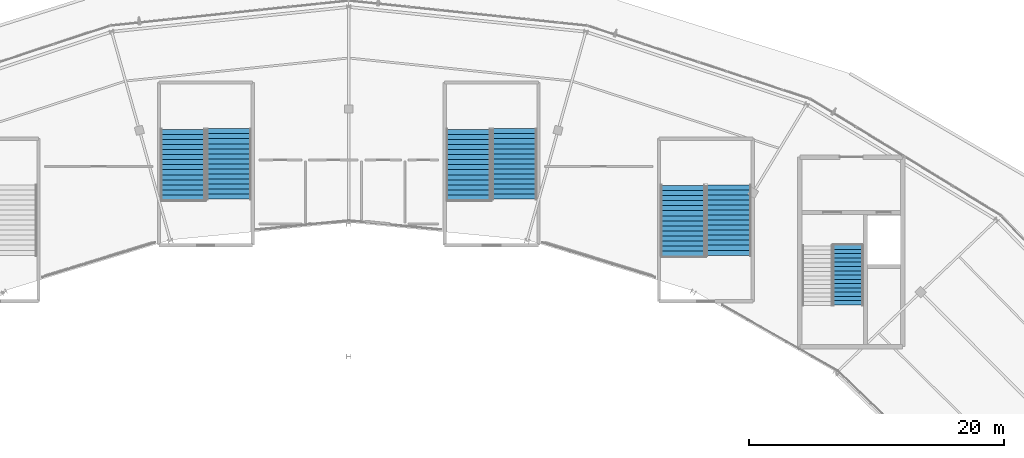
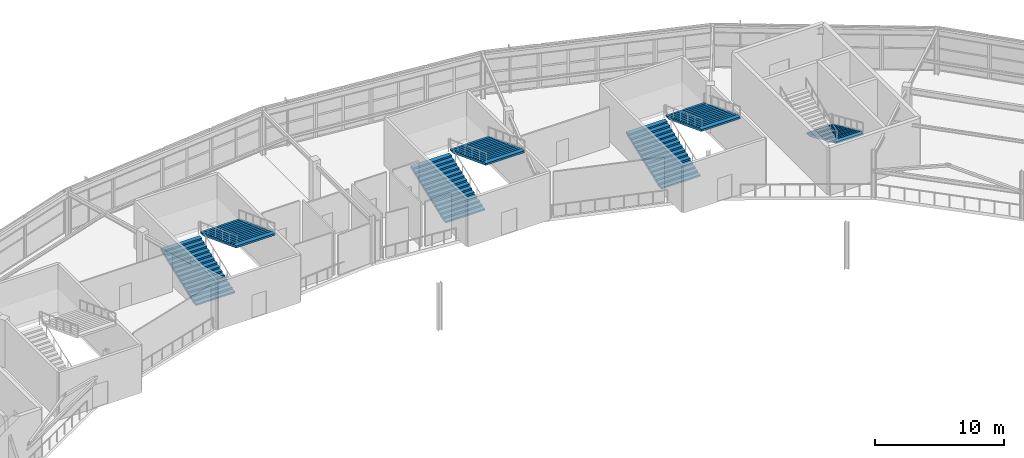
# One storey, part 112 of 126: 7 stair flights, 4 elements without a shape of their own.
"""IFC4 building model written with IfcOpenShell, lengths in metres."""

from ifc_helpers import new_model, si_unit, direction, frame, origin, place, context, subcontext, project, spatial, polyline, outline, extrude, material, type_object, element, aggregate, save


model = new_model("IFC4")

# Units and contexts
model_context = context("Model", 3, precision=1e-05, world=origin(), true_north=direction((0.0, 1.0)))
body_context = subcontext(model_context, "Body", "Model", "MODEL_VIEW")
ifc_project = project(units=[si_unit("LENGTHUNIT", "METRE"), si_unit("AREAUNIT", "SQUARE_METRE"), si_unit("VOLUMEUNIT", "CUBIC_METRE"), si_unit("PLANEANGLEUNIT", "RADIAN"), si_unit("MASSUNIT", "GRAM", prefix="KILO")], contexts=[model_context])

# Site, building, storey
site_placement = place(None, origin())
site = spatial("IfcSite", under=ifc_project, at=site_placement, CompositionType="ELEMENT")
building_placement = place(site_placement, origin())
building = spatial("IfcBuilding", under=site, at=building_placement, Name="Kalgoora Escarpment Arena", CompositionType="ELEMENT")
storey_placement = place(building_placement, frame((0.0, 0.0, 18.89990234375)))
storey = spatial("IfcBuildingStorey", under=building, at=storey_placement, Name="L04", CompositionType="ELEMENT", Elevation=18.89990234375)

# Stair, stair flight
ifc_material_1 = material(Name="Concrete N40 (fc' 40 MPa)", Category="concrete")
stair_type_1 = type_object("IfcStairType", Name="STR-EXIT-4", PredefinedType="HALF_TURN_STAIR", material=ifc_material_1)
stair_1_placement = place(storey_placement, origin())
stair_1 = element("IfcStair", 1, at=stair_1_placement, inside=storey, type_object=stair_type_1, Name="Fire-isolated exit stair ST04 (L04)", PredefinedType="HALF_TURN_STAIR")
ifc_material_2 = material(Name="Concrete N40 (fc' 40 MPa)", Category="concrete")
stair_flight_type_1 = type_object("IfcStairFlightType", Name="FLT-EXIT-4", PredefinedType="STRAIGHT", material=ifc_material_2)
stair_flight_1_placement = place(storey_placement, frame((131.552490234375, 102.330078125, 0.0), z_axis=(0.0, 0.0, 1.0), x_axis=(0.0, -1.0, 0.0)))
stair_flight_1 = element("IfcStairFlight", 2, at=stair_flight_1_placement, type_object=stair_flight_type_1, Name="ST04 L04 lower flight", NumberOfRisers=15, NumberOfTreads=14, PredefinedType="STRAIGHT", RiserHeight=0.15, TreadLength=0.335, context=body_context, shape_type="SweptSolid", body=[
    extrude(outline(polyline([(0.0, 0.0), (0.0, 0.14990234375), (0.3349609375, 0.14990234375), (0.3349609375, 0.300048828125), (0.669921875, 0.300048828125), (0.669921875, 0.449951171875), (1.0048828125, 0.449951171875), (1.0048828125, 0.60009765625), (1.340087890625, 0.60009765625), (1.340087890625, 0.75), (1.675048828125, 0.75), (1.675048828125, 0.89990234375), (2.010009765625, 0.89990234375), (2.010009765625, 1.050048828125), (2.344970703125, 1.050048828125), (2.344970703125, 1.199951171875), (2.679931640625, 1.199951171875), (2.679931640625, 1.35009765625), (3.014892578125, 1.35009765625), (3.014892578125, 1.5), (3.35009765625, 1.5), (3.35009765625, 1.64990234375), (3.68505859375, 1.64990234375), (3.68505859375, 1.800048828125), (4.02001953125, 1.800048828125), (4.02001953125, 1.949951171875), (4.35498046875, 1.949951171875), (4.35498046875, 2.10009765625), (4.68994140625, 2.10009765625), (4.68994140625, 2.25), (4.68994140625, 1.913818359375), (0.415771484375, 0.0), (0.0, 0.0)])), frame((0.0, 1.197509765625, 0.0), z_axis=(0.0, -1.0, 0.0), x_axis=(1.0, 0.0, 0.0)), (0.0, 0.0, 1.0), 2.39501953125),
])
aggregate(stair_1, [stair_flight_1])

# Stair, stair flights
ifc_material_3 = material(Name="Precast concrete N50 (fc' 50 MPa)", Category="concrete")
stair_type_2 = type_object("IfcStairType", Name="STR-STAD-2", PredefinedType="HALF_TURN_STAIR", material=ifc_material_3)
stair_2_placement = place(storey_placement, origin())
stair_2 = element("IfcStair", 3, at=stair_2_placement, inside=storey, type_object=stair_type_2, Name="Fire-isolated exit stair ST10 (L04)", PredefinedType="HALF_TURN_STAIR")
ifc_material_4 = material(Name="Precast concrete N50 (fc' 50 MPa)", Category="concrete")
stair_flight_type_2 = type_object("IfcStairFlightType", Name="FLT-STAD-2", PredefinedType="STRAIGHT", material=ifc_material_4)
stair_flight_2_placement = place(storey_placement, frame((79.39501953125, 105.8701171875, 0.0), z_axis=(0.0, 0.0, 1.0), x_axis=(0.0, 1.0, 0.0)))
stair_flight_2 = element("IfcStairFlight", 4, at=stair_flight_2_placement, type_object=stair_flight_type_2, Name="ST10 L04 lower flight", NumberOfRisers=15, NumberOfTreads=14, PredefinedType="STRAIGHT", RiserHeight=0.15, TreadLength=0.395, context=body_context, shape_type="SweptSolid", body=[
    extrude(outline(polyline([(0.0, 0.0), (0.0, 0.14990234375), (0.39501953125, 0.14990234375), (0.39501953125, 0.300048828125), (0.7900390625, 0.300048828125), (0.7900390625, 0.449951171875), (1.18505859375, 0.449951171875), (1.18505859375, 0.60009765625), (1.580078125, 0.60009765625), (1.580078125, 0.75), (1.97509765625, 0.75), (1.97509765625, 0.89990234375), (2.3701171875, 0.89990234375), (2.3701171875, 1.050048828125), (2.764892578125, 1.050048828125), (2.764892578125, 1.199951171875), (3.159912109375, 1.199951171875), (3.159912109375, 1.35009765625), (3.554931640625, 1.35009765625), (3.554931640625, 1.5), (3.949951171875, 1.5), (3.949951171875, 1.64990234375), (4.344970703125, 1.64990234375), (4.344970703125, 1.800048828125), (4.739990234375, 1.800048828125), (4.739990234375, 1.949951171875), (5.135009765625, 1.949951171875), (5.135009765625, 2.10009765625), (5.530029296875, 2.10009765625), (5.530029296875, 2.25), (5.530029296875, 1.918212890625), (0.478759765625, 0.0), (0.0, 0.0)])), frame((0.0, 1.7451171875, 0.0), z_axis=(0.0, -1.0, 0.0), x_axis=(1.0, 0.0, 0.0)), (0.0, 0.0, 1.0), 3.489990234375),
])
stair_flight_3_placement = place(storey_placement, frame((83.0048828125, 111.4599609375, 2.25), z_axis=(0.0, 0.0, 1.0), x_axis=(0.0, -1.0, 0.0)))
stair_flight_3 = element("IfcStairFlight", 5, at=stair_flight_3_placement, type_object=stair_flight_type_2, Name="ST10 L04 upper flight", NumberOfRisers=15, NumberOfTreads=14, PredefinedType="STRAIGHT", RiserHeight=0.15, TreadLength=0.395, context=body_context, shape_type="SweptSolid", body=[
    extrude(outline(polyline([(0.0, 0.0), (0.0, 0.14990234375), (0.39501953125, 0.14990234375), (0.39501953125, 0.300048828125), (0.7900390625, 0.300048828125), (0.7900390625, 0.449951171875), (1.18505859375, 0.449951171875), (1.18505859375, 0.60009765625), (1.580078125, 0.60009765625), (1.580078125, 0.75), (1.97509765625, 0.75), (1.97509765625, 0.89990234375), (2.3701171875, 0.89990234375), (2.3701171875, 1.050048828125), (2.764892578125, 1.050048828125), (2.764892578125, 1.199951171875), (3.159912109375, 1.199951171875), (3.159912109375, 1.35009765625), (3.554931640625, 1.35009765625), (3.554931640625, 1.5), (3.949951171875, 1.5), (3.949951171875, 1.64990234375), (4.344970703125, 1.64990234375), (4.344970703125, 1.800048828125), (4.739990234375, 1.800048828125), (4.739990234375, 1.949951171875), (5.135009765625, 1.949951171875), (5.135009765625, 2.10009765625), (5.530029296875, 2.10009765625), (5.530029296875, 2.25), (5.530029296875, 1.918212890625), (0.478759765625, 0.0), (0.0, 0.0)])), frame((0.0, 1.7451171875, 0.0), z_axis=(0.0, -1.0, 0.0), x_axis=(1.0, 0.0, 0.0)), (0.0, 0.0, 1.0), 3.489990234375),
])
aggregate(stair_2, [stair_flight_2, stair_flight_3])

ifc_material_5 = material(Name="Precast concrete N50 (fc' 50 MPa)", Category="concrete")
stair_type_3 = type_object("IfcStairType", Name="STR-STAD-3", PredefinedType="HALF_TURN_STAIR", material=ifc_material_5)
stair_3_placement = place(storey_placement, origin())
stair_3 = element("IfcStair", 6, at=stair_3_placement, inside=storey, type_object=stair_type_3, Name="Fire-isolated exit stair ST11 (L04)", PredefinedType="HALF_TURN_STAIR")
ifc_material_6 = material(Name="Precast concrete N50 (fc' 50 MPa)", Category="concrete")
stair_flight_type_3 = type_object("IfcStairFlightType", Name="FLT-STAD-3", PredefinedType="STRAIGHT", material=ifc_material_6)
stair_flight_4_placement = place(storey_placement, frame((101.797607421875, 105.8701171875, 0.0), z_axis=(0.0, 0.0, 1.0), x_axis=(0.0, 1.0, 0.0)))
stair_flight_4 = element("IfcStairFlight", 7, at=stair_flight_4_placement, type_object=stair_flight_type_3, Name="ST11 L04 lower flight", NumberOfRisers=15, NumberOfTreads=14, PredefinedType="STRAIGHT", RiserHeight=0.15, TreadLength=0.395, context=body_context, shape_type="SweptSolid", body=[
    extrude(outline(polyline([(0.0, 0.0), (0.0, 0.14990234375), (0.39501953125, 0.14990234375), (0.39501953125, 0.300048828125), (0.7900390625, 0.300048828125), (0.7900390625, 0.449951171875), (1.18505859375, 0.449951171875), (1.18505859375, 0.60009765625), (1.580078125, 0.60009765625), (1.580078125, 0.75), (1.97509765625, 0.75), (1.97509765625, 0.89990234375), (2.3701171875, 0.89990234375), (2.3701171875, 1.050048828125), (2.764892578125, 1.050048828125), (2.764892578125, 1.199951171875), (3.159912109375, 1.199951171875), (3.159912109375, 1.35009765625), (3.554931640625, 1.35009765625), (3.554931640625, 1.5), (3.949951171875, 1.5), (3.949951171875, 1.64990234375), (4.344970703125, 1.64990234375), (4.344970703125, 1.800048828125), (4.739990234375, 1.800048828125), (4.739990234375, 1.949951171875), (5.135009765625, 1.949951171875), (5.135009765625, 2.10009765625), (5.530029296875, 2.10009765625), (5.530029296875, 2.25), (5.530029296875, 1.918212890625), (0.478759765625, 0.0), (0.0, 0.0)])), frame((0.0, 1.74755859375, 0.0), z_axis=(0.0, -1.0, 0.0), x_axis=(1.0, 0.0, 0.0)), (0.0, 0.0, 1.0), 3.4951171875),
])
stair_flight_5_placement = place(storey_placement, frame((105.402587890625, 111.4599609375, 2.25), z_axis=(0.0, 0.0, 1.0), x_axis=(0.0, -1.0, 0.0)))
stair_flight_5 = element("IfcStairFlight", 8, at=stair_flight_5_placement, type_object=stair_flight_type_3, Name="ST11 L04 upper flight", NumberOfRisers=15, NumberOfTreads=14, PredefinedType="STRAIGHT", RiserHeight=0.15, TreadLength=0.395, context=body_context, shape_type="SweptSolid", body=[
    extrude(outline(polyline([(0.0, 0.0), (0.0, 0.14990234375), (0.39501953125, 0.14990234375), (0.39501953125, 0.300048828125), (0.7900390625, 0.300048828125), (0.7900390625, 0.449951171875), (1.18505859375, 0.449951171875), (1.18505859375, 0.60009765625), (1.580078125, 0.60009765625), (1.580078125, 0.75), (1.97509765625, 0.75), (1.97509765625, 0.89990234375), (2.3701171875, 0.89990234375), (2.3701171875, 1.050048828125), (2.764892578125, 1.050048828125), (2.764892578125, 1.199951171875), (3.159912109375, 1.199951171875), (3.159912109375, 1.35009765625), (3.554931640625, 1.35009765625), (3.554931640625, 1.5), (3.949951171875, 1.5), (3.949951171875, 1.64990234375), (4.344970703125, 1.64990234375), (4.344970703125, 1.800048828125), (4.739990234375, 1.800048828125), (4.739990234375, 1.949951171875), (5.135009765625, 1.949951171875), (5.135009765625, 2.10009765625), (5.530029296875, 2.10009765625), (5.530029296875, 2.25), (5.530029296875, 1.918212890625), (0.478759765625, 0.0), (0.0, 0.0)])), frame((0.0, 1.74755859375, 0.0), z_axis=(0.0, -1.0, 0.0), x_axis=(1.0, 0.0, 0.0)), (0.0, 0.0, 1.0), 3.4951171875),
])
aggregate(stair_3, [stair_flight_4, stair_flight_5])

ifc_material_7 = material(Name="Precast concrete N50 (fc' 50 MPa)", Category="concrete")
stair_type_4 = type_object("IfcStairType", Name="STR-STAD-4", PredefinedType="HALF_TURN_STAIR", material=ifc_material_7)
stair_4_placement = place(storey_placement, origin())
stair_4 = element("IfcStair", 9, at=stair_4_placement, inside=storey, type_object=stair_type_4, Name="Fire-isolated exit stair ST12 (L04)", PredefinedType="HALF_TURN_STAIR")
ifc_material_8 = material(Name="Precast concrete N50 (fc' 50 MPa)", Category="concrete")
stair_flight_type_4 = type_object("IfcStairFlightType", Name="FLT-STAD-4", PredefinedType="STRAIGHT", material=ifc_material_8)
stair_flight_6_placement = place(storey_placement, frame((118.60009765625, 101.469970703125, 0.0), z_axis=(0.0, 0.0, 1.0), x_axis=(0.0, 1.0, 0.0)))
stair_flight_6 = element("IfcStairFlight", 10, at=stair_flight_6_placement, type_object=stair_flight_type_4, Name="ST12 L04 lower flight", NumberOfRisers=15, NumberOfTreads=14, PredefinedType="STRAIGHT", RiserHeight=0.15, TreadLength=0.395, context=body_context, shape_type="SweptSolid", body=[
    extrude(outline(polyline([(0.0, 0.0), (0.0, 0.14990234375), (0.39501953125, 0.14990234375), (0.39501953125, 0.300048828125), (0.7900390625, 0.300048828125), (0.7900390625, 0.449951171875), (1.18505859375, 0.449951171875), (1.18505859375, 0.60009765625), (1.580078125, 0.60009765625), (1.580078125, 0.75), (1.97509765625, 0.75), (1.97509765625, 0.89990234375), (2.3701171875, 0.89990234375), (2.3701171875, 1.050048828125), (2.764892578125, 1.050048828125), (2.764892578125, 1.199951171875), (3.159912109375, 1.199951171875), (3.159912109375, 1.35009765625), (3.554931640625, 1.35009765625), (3.554931640625, 1.5), (3.949951171875, 1.5), (3.949951171875, 1.64990234375), (4.344970703125, 1.64990234375), (4.344970703125, 1.800048828125), (4.739990234375, 1.800048828125), (4.739990234375, 1.949951171875), (5.135009765625, 1.949951171875), (5.135009765625, 2.10009765625), (5.530029296875, 2.10009765625), (5.530029296875, 2.25), (5.530029296875, 1.918212890625), (0.478759765625, 0.0), (0.0, 0.0)])), frame((0.0, 1.75, 0.0), z_axis=(0.0, -1.0, 0.0), x_axis=(1.0, 0.0, 0.0)), (0.0, 0.0, 1.0), 3.5),
])
stair_flight_7_placement = place(storey_placement, frame((122.199951171875, 107.06005859375, 2.25), z_axis=(0.0, 0.0, 1.0), x_axis=(0.0, -1.0, 0.0)))
stair_flight_7 = element("IfcStairFlight", 11, at=stair_flight_7_placement, type_object=stair_flight_type_4, Name="ST12 L04 upper flight", NumberOfRisers=15, NumberOfTreads=14, PredefinedType="STRAIGHT", RiserHeight=0.15, TreadLength=0.395, context=body_context, shape_type="SweptSolid", body=[
    extrude(outline(polyline([(0.0, 0.0), (0.0, 0.14990234375), (0.39501953125, 0.14990234375), (0.39501953125, 0.300048828125), (0.7900390625, 0.300048828125), (0.7900390625, 0.449951171875), (1.18505859375, 0.449951171875), (1.18505859375, 0.60009765625), (1.580078125, 0.60009765625), (1.580078125, 0.75), (1.97509765625, 0.75), (1.97509765625, 0.89990234375), (2.3701171875, 0.89990234375), (2.3701171875, 1.050048828125), (2.764892578125, 1.050048828125), (2.764892578125, 1.199951171875), (3.159912109375, 1.199951171875), (3.159912109375, 1.35009765625), (3.554931640625, 1.35009765625), (3.554931640625, 1.5), (3.949951171875, 1.5), (3.949951171875, 1.64990234375), (4.344970703125, 1.64990234375), (4.344970703125, 1.800048828125), (4.739990234375, 1.800048828125), (4.739990234375, 1.949951171875), (5.135009765625, 1.949951171875), (5.135009765625, 2.10009765625), (5.530029296875, 2.10009765625), (5.530029296875, 2.25), (5.530029296875, 1.918212890625), (0.478759765625, 0.0), (0.0, 0.0)])), frame((0.0, 1.75, 0.0), z_axis=(0.0, -1.0, 0.0), x_axis=(1.0, 0.0, 0.0)), (0.0, 0.0, 1.0), 3.5),
])
aggregate(stair_4, [stair_flight_6, stair_flight_7])

save(model, "model.ifc")
